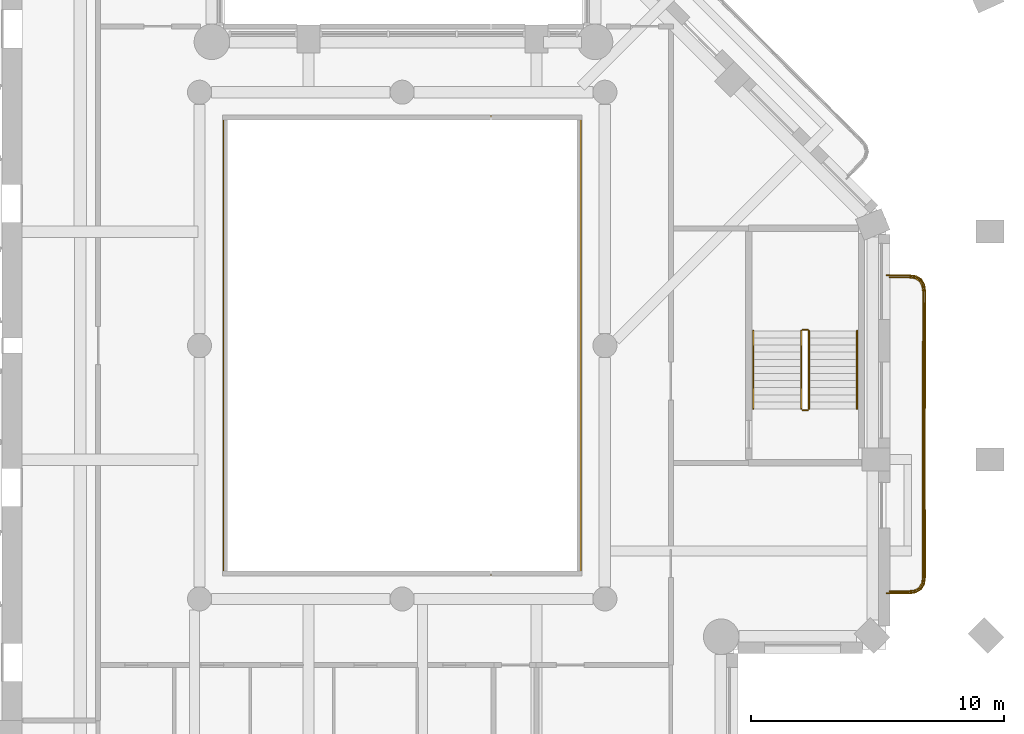
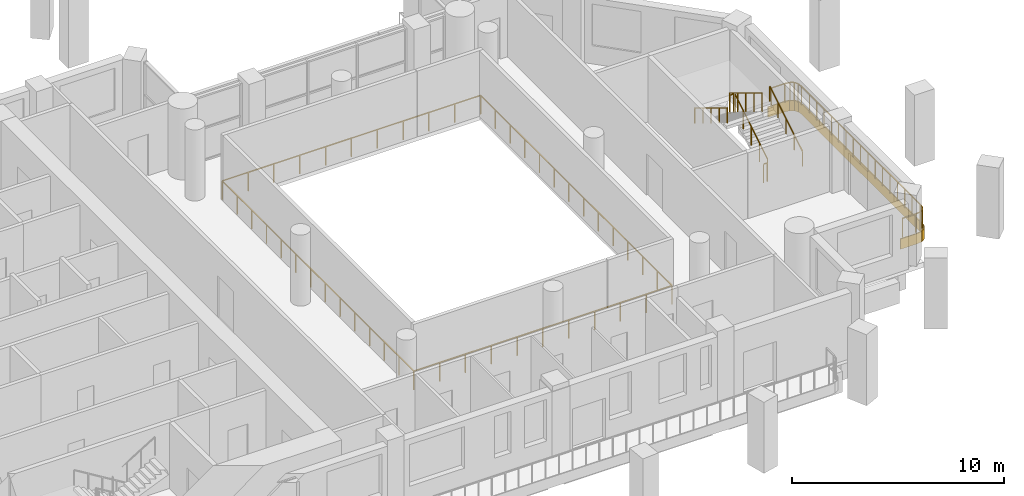
# One storey, part 12 of 14: 8 railings, 1 covering.
"""IFC4 building model written with IfcOpenShell, lengths in metres."""

from ifc_helpers import new_model, si_unit, direction, frame, origin, origin_2d, place, context, subcontext, project, spatial, polyline, rectangle, outline, extrude, material, layer, layer_set, type_object, element, save


model = new_model("IFC4")

# Units and contexts
model_context = context("Model", 3, precision=1e-05, world=origin(), true_north=direction((0.0, 1.0)))
body_context = subcontext(model_context, "Body", "Model", "MODEL_VIEW")
ifc_project = project(units=[si_unit("LENGTHUNIT", "METRE"), si_unit("AREAUNIT", "SQUARE_METRE"), si_unit("VOLUMEUNIT", "CUBIC_METRE"), si_unit("PLANEANGLEUNIT", "RADIAN"), si_unit("MASSUNIT", "GRAM", prefix="KILO")], contexts=[model_context])

# Site, building, storey
site_placement = place(None, origin())
site = spatial("IfcSite", under=ifc_project, at=site_placement, CompositionType="ELEMENT")
building_placement = place(site_placement, origin())
building = spatial("IfcBuilding", under=site, at=building_placement, Name="Cypress Arch Tower", CompositionType="ELEMENT")
storey_placement = place(building_placement, frame((0.0, 0.0, 201.5)))
storey = spatial("IfcBuildingStorey", under=building, at=storey_placement, Name="L44", CompositionType="ELEMENT", Elevation=201.5)

# Railing
ifc_material_1 = material(Name="Stainless steel posts and handrail, laminated glass infill", Category="steel")
railing_type_1 = type_object("IfcRailingType", Name="Atrium guard GR1100A", PredefinedType="GUARDRAIL", material=ifc_material_1)
railing_1_placement = place(storey_placement, frame((8.050048828125, -9.050048828125, 0.0)))
element("IfcRailing", 1, at=railing_1_placement, inside=storey, type_object=railing_type_1, Name="Atrium guard L44", PredefinedType="GUARDRAIL", context=body_context, shape_type="SweptSolid", body=[
    extrude(rectangle(XDim=0.050048828125, YDim=0.050048828125, at=origin_2d()), frame((0.0, 0.0, 1.0751953125), z_axis=(-1.0, 0.0, 0.0), x_axis=(0.0, -1.0, 0.0)), (0.0, 0.0, 1.0), 14.10009765625),
    extrude(rectangle(XDim=0.050048828125, YDim=0.050048828125, at=origin_2d()), frame((-14.10009765625, 0.0, 1.0751953125), z_axis=(0.0, 1.0, 0.0), x_axis=(-1.0, 0.0, 0.0)), (0.0, 0.0, 1.0), 18.10009765625),
    extrude(rectangle(XDim=0.050048828125, YDim=0.050048828125, at=origin_2d()), frame((-14.10009765625, 18.10009765625, 1.0751953125), z_axis=(1.0, 0.0, 0.0), x_axis=(0.0, 1.0, 0.0)), (0.0, 0.0, 1.0), 14.10009765625),
    extrude(rectangle(XDim=0.050048828125, YDim=0.050048828125, at=origin_2d()), frame((0.0, 18.10009765625, 1.0751953125), z_axis=(0.0, -1.0, 0.0), x_axis=(1.0, 0.0, 0.0)), (0.0, 0.0, 1.0), 18.10009765625),
    extrude(rectangle(XDim=0.050048828125, YDim=0.050048828125, at=origin_2d()), origin(), (0.0, 0.0, 1.0), 1.050048828125),
    extrude(rectangle(XDim=0.050048828125, YDim=0.050048828125, at=origin_2d()), frame((-1.409912109375, 0.0, 0.0)), (0.0, 0.0, 1.0), 1.050048828125),
    extrude(rectangle(XDim=0.050048828125, YDim=0.050048828125, at=origin_2d()), frame((-2.820068359375, 0.0, 0.0)), (0.0, 0.0, 1.0), 1.050048828125),
    extrude(rectangle(XDim=0.050048828125, YDim=0.050048828125, at=origin_2d()), frame((-4.22998046875, 0.0, 0.0)), (0.0, 0.0, 1.0), 1.050048828125),
    extrude(rectangle(XDim=0.050048828125, YDim=0.050048828125, at=origin_2d()), frame((-5.64013671875, 0.0, 0.0)), (0.0, 0.0, 1.0), 1.050048828125),
    extrude(rectangle(XDim=0.050048828125, YDim=0.050048828125, at=origin_2d()), frame((-7.050048828125, 0.0, 0.0)), (0.0, 0.0, 1.0), 1.050048828125),
    extrude(rectangle(XDim=0.050048828125, YDim=0.050048828125, at=origin_2d()), frame((-8.4599609375, 0.0, 0.0)), (0.0, 0.0, 1.0), 1.050048828125),
    extrude(rectangle(XDim=0.050048828125, YDim=0.050048828125, at=origin_2d()), frame((-9.8701171875, 0.0, 0.0)), (0.0, 0.0, 1.0), 1.050048828125),
    extrude(rectangle(XDim=0.050048828125, YDim=0.050048828125, at=origin_2d()), frame((-11.280029296875, 0.0, 0.0)), (0.0, 0.0, 1.0), 1.050048828125),
    extrude(rectangle(XDim=0.050048828125, YDim=0.050048828125, at=origin_2d()), frame((-12.690185546875, 0.0, 0.0)), (0.0, 0.0, 1.0), 1.050048828125),
    extrude(rectangle(XDim=0.050048828125, YDim=0.050048828125, at=origin_2d()), frame((-14.10009765625, 0.0, 0.0)), (0.0, 0.0, 1.0), 1.050048828125),
    extrude(rectangle(XDim=0.050048828125, YDim=0.050048828125, at=origin_2d()), frame((-14.10009765625, 1.392333984375, 0.0)), (0.0, 0.0, 1.0), 1.050048828125),
    extrude(rectangle(XDim=0.050048828125, YDim=0.050048828125, at=origin_2d()), frame((-14.10009765625, 2.78466796875, 0.0)), (0.0, 0.0, 1.0), 1.050048828125),
    extrude(rectangle(XDim=0.050048828125, YDim=0.050048828125, at=origin_2d()), frame((-14.10009765625, 4.177001953125, 0.0)), (0.0, 0.0, 1.0), 1.050048828125),
    extrude(rectangle(XDim=0.050048828125, YDim=0.050048828125, at=origin_2d()), frame((-14.10009765625, 5.5693359375, 0.0)), (0.0, 0.0, 1.0), 1.050048828125),
    extrude(rectangle(XDim=0.050048828125, YDim=0.050048828125, at=origin_2d()), frame((-14.10009765625, 6.961669921875, 0.0)), (0.0, 0.0, 1.0), 1.050048828125),
    extrude(rectangle(XDim=0.050048828125, YDim=0.050048828125, at=origin_2d()), frame((-14.10009765625, 8.35400390625, 0.0)), (0.0, 0.0, 1.0), 1.050048828125),
    extrude(rectangle(XDim=0.050048828125, YDim=0.050048828125, at=origin_2d()), frame((-14.10009765625, 9.74609375, 0.0)), (0.0, 0.0, 1.0), 1.050048828125),
    extrude(rectangle(XDim=0.050048828125, YDim=0.050048828125, at=origin_2d()), frame((-14.10009765625, 11.138427734375, 0.0)), (0.0, 0.0, 1.0), 1.050048828125),
    extrude(rectangle(XDim=0.050048828125, YDim=0.050048828125, at=origin_2d()), frame((-14.10009765625, 12.53076171875, 0.0)), (0.0, 0.0, 1.0), 1.050048828125),
    extrude(rectangle(XDim=0.050048828125, YDim=0.050048828125, at=origin_2d()), frame((-14.10009765625, 13.923095703125, 0.0)), (0.0, 0.0, 1.0), 1.050048828125),
    extrude(rectangle(XDim=0.050048828125, YDim=0.050048828125, at=origin_2d()), frame((-14.10009765625, 15.3154296875, 0.0)), (0.0, 0.0, 1.0), 1.050048828125),
    extrude(rectangle(XDim=0.050048828125, YDim=0.050048828125, at=origin_2d()), frame((-14.10009765625, 16.707763671875, 0.0)), (0.0, 0.0, 1.0), 1.050048828125),
    extrude(rectangle(XDim=0.050048828125, YDim=0.050048828125, at=origin_2d()), frame((-14.10009765625, 18.10009765625, 0.0)), (0.0, 0.0, 1.0), 1.050048828125),
    extrude(rectangle(XDim=0.050048828125, YDim=0.050048828125, at=origin_2d()), frame((-12.690185546875, 18.10009765625, 0.0)), (0.0, 0.0, 1.0), 1.050048828125),
    extrude(rectangle(XDim=0.050048828125, YDim=0.050048828125, at=origin_2d()), frame((-11.280029296875, 18.10009765625, 0.0)), (0.0, 0.0, 1.0), 1.050048828125),
    extrude(rectangle(XDim=0.050048828125, YDim=0.050048828125, at=origin_2d()), frame((-9.8701171875, 18.10009765625, 0.0)), (0.0, 0.0, 1.0), 1.050048828125),
    extrude(rectangle(XDim=0.050048828125, YDim=0.050048828125, at=origin_2d()), frame((-8.4599609375, 18.10009765625, 0.0)), (0.0, 0.0, 1.0), 1.050048828125),
    extrude(rectangle(XDim=0.050048828125, YDim=0.050048828125, at=origin_2d()), frame((-7.050048828125, 18.10009765625, 0.0)), (0.0, 0.0, 1.0), 1.050048828125),
    extrude(rectangle(XDim=0.050048828125, YDim=0.050048828125, at=origin_2d()), frame((-5.64013671875, 18.10009765625, 0.0)), (0.0, 0.0, 1.0), 1.050048828125),
    extrude(rectangle(XDim=0.050048828125, YDim=0.050048828125, at=origin_2d()), frame((-4.22998046875, 18.10009765625, 0.0)), (0.0, 0.0, 1.0), 1.050048828125),
    extrude(rectangle(XDim=0.050048828125, YDim=0.050048828125, at=origin_2d()), frame((-2.820068359375, 18.10009765625, 0.0)), (0.0, 0.0, 1.0), 1.050048828125),
    extrude(rectangle(XDim=0.050048828125, YDim=0.050048828125, at=origin_2d()), frame((-1.409912109375, 18.10009765625, 0.0)), (0.0, 0.0, 1.0), 1.050048828125),
    extrude(rectangle(XDim=0.050048828125, YDim=0.050048828125, at=origin_2d()), frame((0.0, 18.10009765625, 0.0)), (0.0, 0.0, 1.0), 1.050048828125),
    extrude(rectangle(XDim=0.050048828125, YDim=0.050048828125, at=origin_2d()), frame((0.0, 16.707763671875, 0.0)), (0.0, 0.0, 1.0), 1.050048828125),
    extrude(rectangle(XDim=0.050048828125, YDim=0.050048828125, at=origin_2d()), frame((0.0, 15.3154296875, 0.0)), (0.0, 0.0, 1.0), 1.050048828125),
    extrude(rectangle(XDim=0.050048828125, YDim=0.050048828125, at=origin_2d()), frame((0.0, 13.923095703125, 0.0)), (0.0, 0.0, 1.0), 1.050048828125),
    extrude(rectangle(XDim=0.050048828125, YDim=0.050048828125, at=origin_2d()), frame((0.0, 12.53076171875, 0.0)), (0.0, 0.0, 1.0), 1.050048828125),
    extrude(rectangle(XDim=0.050048828125, YDim=0.050048828125, at=origin_2d()), frame((0.0, 11.138427734375, 0.0)), (0.0, 0.0, 1.0), 1.050048828125),
    extrude(rectangle(XDim=0.050048828125, YDim=0.050048828125, at=origin_2d()), frame((0.0, 9.74609375, 0.0)), (0.0, 0.0, 1.0), 1.050048828125),
    extrude(rectangle(XDim=0.050048828125, YDim=0.050048828125, at=origin_2d()), frame((0.0, 8.35400390625, 0.0)), (0.0, 0.0, 1.0), 1.050048828125),
    extrude(rectangle(XDim=0.050048828125, YDim=0.050048828125, at=origin_2d()), frame((0.0, 6.961669921875, 0.0)), (0.0, 0.0, 1.0), 1.050048828125),
    extrude(rectangle(XDim=0.050048828125, YDim=0.050048828125, at=origin_2d()), frame((0.0, 5.5693359375, 0.0)), (0.0, 0.0, 1.0), 1.050048828125),
    extrude(rectangle(XDim=0.050048828125, YDim=0.050048828125, at=origin_2d()), frame((0.0, 4.177001953125, 0.0)), (0.0, 0.0, 1.0), 1.050048828125),
    extrude(rectangle(XDim=0.050048828125, YDim=0.050048828125, at=origin_2d()), frame((0.0, 2.78466796875, 0.0)), (0.0, 0.0, 1.0), 1.050048828125),
    extrude(rectangle(XDim=0.050048828125, YDim=0.050048828125, at=origin_2d()), frame((0.0, 1.392333984375, 0.0)), (0.0, 0.0, 1.0), 1.050048828125),
])

# Covering
ifc_material_2 = material(Name="White powder-coated aluminium fascia", Category="aluminium")
ifc_layer = layer(ifc_material_2, 0.050048828125)
ifc_layer_set = layer_set([ifc_layer], Name="Balcony fascia BF50")
covering_type = type_object("IfcCoveringType", Name="Balcony fascia BF50", PredefinedType="CLADDING", material=ifc_layer_set)
covering_placement = place(storey_placement, frame((0.0, 0.0, -0.60009765625)))
element("IfcCovering", 2, at=covering_placement, inside=storey, type_object=covering_type, Name="Balcony fascia L44-B04", PredefinedType="CLADDING", context=body_context, shape_type="SweptSolid", body=[
    extrude(outline(polyline([(20.993408203125, 2.800048828125), (21.2802734375, 2.759033203125), (21.494873046875, 2.630126953125), (21.623291015625, 2.41552734375), (21.66357421875, 2.12841796875), (21.661865234375, 1.361083984375), (21.658203125, -0.02783203125), (21.654296875, -1.416748046875), (21.6513671875, -2.8056640625), (21.650146484375, -4.194580078125), (21.650634765625, -5.583251953125), (21.65283203125, -6.97216796875), (21.656494140625, -8.361083984375), (21.658447265625, -9.12841796875), (21.618408203125, -9.415283203125), (21.489990234375, -9.630126953125), (21.275634765625, -9.759033203125), (20.98876953125, -9.800048828125), (20.10107421875, -9.800048828125), (20.10107421875, -9.75), (20.9853515625, -9.75), (21.258544921875, -9.7109375), (21.45361328125, -9.59375), (21.5703125, -9.3984375), (21.608642578125, -9.125), (21.6064453125, -8.361083984375), (21.602783203125, -6.97216796875), (21.6005859375, -5.583251953125), (21.60009765625, -4.1943359375), (21.601318359375, -2.8056640625), (21.604248046875, -1.416748046875), (21.608154296875, -0.02783203125), (21.61181640625, 1.361083984375), (21.613525390625, 2.125), (21.5751953125, 2.3984375), (21.458251953125, 2.59375), (21.26318359375, 2.7109375), (20.989990234375, 2.75), (20.10107421875, 2.75), (20.10107421875, 2.800048828125), (20.993408203125, 2.800048828125)])), origin(), (0.0, 0.0, 1.0), 0.60009765625),
])

# Railings
ifc_material_3 = material(Name="Powder-coated steel posts and rods, 100 mm clear between rods", Category="steel")
railing_type_2 = type_object("IfcRailingType", Name="Balcony guard GR1100", PredefinedType="GUARDRAIL", material=ifc_material_3)
railing_2_placement = place(storey_placement, frame((20.25, 2.699951171875, 0.0)))
element("IfcRailing", 3, at=railing_2_placement, inside=storey, type_object=railing_type_2, Name="Balcony guard L44-B04", PredefinedType="GUARDRAIL", context=body_context, shape_type="SweptSolid", body=[
    extrude(rectangle(XDim=0.050048828125, YDim=0.050048828125, at=origin_2d()), frame((0.0, 0.0, 1.0751953125), z_axis=(1.0, 0.0, 0.0), x_axis=(0.0, 1.0, 0.0)), (0.0, 0.0, 1.0), 0.736328125),
    extrude(rectangle(XDim=0.050048828125, YDim=0.050048828125, at=origin_2d()), frame((0.736328125, 0.0, 1.0751953125), z_axis=(0.989949493661, -0.141421356237, 0.0), x_axis=(0.141421356237, 0.989949493661, 0.0)), (0.0, 0.0, 1.0), 0.262451171875),
    extrude(rectangle(XDim=0.050048828125, YDim=0.050048828125, at=origin_2d()), frame((0.99609375, -0.037109375, 1.0751953125), z_axis=(0.857492925713, -0.514495755428, 0.0), x_axis=(0.514495755428, 0.857492925713, 0.0)), (0.0, 0.0, 1.0), 0.205078125),
    extrude(rectangle(XDim=0.050048828125, YDim=0.050048828125, at=origin_2d()), frame((1.171875, -0.142578125, 1.0751953125), z_axis=(0.512216644056, -0.858856279917, 0.0), x_axis=(0.858856279917, 0.512216644056, 0.0)), (0.0, 0.0, 1.0), 0.204833984375),
    extrude(rectangle(XDim=0.050048828125, YDim=0.050048828125, at=origin_2d()), frame((1.27685546875, -0.318603515625, 1.0751953125), z_axis=(0.139597048071, -0.990208394314, 0.0), x_axis=(0.990208394314, 0.139597048071, 0.0)), (0.0, 0.0, 1.0), 0.262451171875),
    extrude(rectangle(XDim=0.050048828125, YDim=0.050048828125, at=origin_2d()), frame((1.3134765625, -0.578369140625, 1.0751953125), z_axis=(-0.001926778697, -0.99999814376, 0.0), x_axis=(0.99999814376, -0.001926778697, 0.0)), (0.0, 0.0, 1.0), 0.76025390625),
    extrude(rectangle(XDim=0.050048828125, YDim=0.050048828125, at=origin_2d()), frame((1.31201171875, -1.338623046875, 1.0751953125), z_axis=(-0.002812433946, -0.9999960451, 0.0), x_axis=(0.9999960451, -0.002812433946, 0.0)), (0.0, 0.0, 1.0), 1.388916015625),
    extrude(rectangle(XDim=0.050048828125, YDim=0.050048828125, at=origin_2d()), frame((1.30810546875, -2.7275390625, 1.0751953125), z_axis=(-0.002812433946, -0.9999960451, 0.0), x_axis=(0.9999960451, -0.002812433946, 0.0)), (0.0, 0.0, 1.0), 1.388916015625),
    extrude(rectangle(XDim=0.050048828125, YDim=0.050048828125, at=origin_2d()), frame((1.30419921875, -4.116455078125, 1.0751953125), z_axis=(-0.00210932911, -0.999997775363, 0.0), x_axis=(0.999997775363, -0.00210932911, 0.0)), (0.0, 0.0, 1.0), 1.388916015625),
    extrude(rectangle(XDim=0.050048828125, YDim=0.050048828125, at=origin_2d()), frame((1.30126953125, -5.50537109375, 1.0751953125), z_axis=(-0.000878888745, -0.999999613777, 0.0), x_axis=(0.999999613777, -0.000878888745, 0.0)), (0.0, 0.0, 1.0), 1.388916015625),
    extrude(rectangle(XDim=0.050048828125, YDim=0.050048828125, at=origin_2d()), frame((1.300048828125, -6.894287109375, 1.0751953125), z_axis=(0.000351493827, -0.999999938226, 0.0), x_axis=(0.999999938226, 0.000351493827, 0.0)), (0.0, 0.0, 1.0), 1.38916015625),
    extrude(rectangle(XDim=0.050048828125, YDim=0.050048828125, at=origin_2d()), frame((1.300537109375, -8.283447265625, 1.0751953125), z_axis=(0.001757775453, -0.999998455112, 0.0), x_axis=(0.999998455112, 0.001757775453, 0.0)), (0.0, 0.0, 1.0), 1.388916015625),
    extrude(rectangle(XDim=0.050048828125, YDim=0.050048828125, at=origin_2d()), frame((1.302978515625, -9.67236328125, 1.0751953125), z_axis=(0.002460881984, -0.999996972025, 0.0), x_axis=(0.999996972025, 0.002460881984, 0.0)), (0.0, 0.0, 1.0), 1.388916015625),
    extrude(rectangle(XDim=0.050048828125, YDim=0.050048828125, at=origin_2d()), frame((1.306396484375, -11.061279296875, 1.0751953125), z_axis=(0.00289016134, -0.999995823475, 0.0), x_axis=(0.999995823475, 0.00289016134, 0.0)), (0.0, 0.0, 1.0), 0.76025390625),
    extrude(rectangle(XDim=0.050048828125, YDim=0.050048828125, at=origin_2d()), frame((1.30859375, -11.821533203125, 1.0751953125), z_axis=(-0.1385566405, -0.990354510957, 0.0), x_axis=(0.990354510957, -0.1385566405, 0.0)), (0.0, 0.0, 1.0), 0.262451171875),
    extrude(rectangle(XDim=0.050048828125, YDim=0.050048828125, at=origin_2d()), frame((1.272216796875, -12.08154296875, 1.0751953125), z_axis=(-0.513619242704, -0.858018224471, 0.0), x_axis=(0.858018224471, -0.513619242704, 0.0)), (0.0, 0.0, 1.0), 0.204833984375),
    extrude(rectangle(XDim=0.050048828125, YDim=0.050048828125, at=origin_2d()), frame((1.1669921875, -12.25732421875, 1.0751953125), z_axis=(-0.857177187434, -0.515021620267, 0.0), x_axis=(0.515021620267, -0.857177187434, 0.0)), (0.0, 0.0, 1.0), 0.204833984375),
    extrude(rectangle(XDim=0.050048828125, YDim=0.050048828125, at=origin_2d()), frame((0.991455078125, -12.36279296875, 1.0751953125), z_axis=(-0.989949493661, -0.141421356237, 0.0), x_axis=(0.141421356237, -0.989949493661, 0.0)), (0.0, 0.0, 1.0), 0.262451171875),
    extrude(rectangle(XDim=0.050048828125, YDim=0.050048828125, at=origin_2d()), frame((0.731689453125, -12.39990234375, 1.0751953125), z_axis=(-1.0, 0.0, 0.0), x_axis=(0.0, -1.0, 0.0)), (0.0, 0.0, 1.0), 0.731689453125),
    extrude(rectangle(XDim=0.0400390625, YDim=0.0400390625, at=origin_2d()), origin(), (0.0, 0.0, 1.0), 1.050048828125),
    extrude(rectangle(XDim=0.0400390625, YDim=0.0400390625, at=origin_2d()), frame((0.736328125, 0.0, 0.0)), (0.0, 0.0, 1.0), 1.050048828125),
    extrude(rectangle(XDim=0.0400390625, YDim=0.0400390625, at=origin_2d()), frame((0.99609375, -0.037109375, 0.0)), (0.0, 0.0, 1.0), 1.050048828125),
    extrude(rectangle(XDim=0.0400390625, YDim=0.0400390625, at=origin_2d()), frame((1.171875, -0.142578125, 0.0)), (0.0, 0.0, 1.0), 1.050048828125),
    extrude(rectangle(XDim=0.0400390625, YDim=0.0400390625, at=origin_2d()), frame((1.27685546875, -0.318603515625, 0.0)), (0.0, 0.0, 1.0), 1.050048828125),
    extrude(rectangle(XDim=0.0400390625, YDim=0.0400390625, at=origin_2d()), frame((1.3134765625, -0.578369140625, 0.0)), (0.0, 0.0, 1.0), 1.050048828125),
    extrude(rectangle(XDim=0.0400390625, YDim=0.0400390625, at=origin_2d()), frame((1.31201171875, -1.338623046875, 0.0)), (0.0, 0.0, 1.0), 1.050048828125),
    extrude(rectangle(XDim=0.0400390625, YDim=0.0400390625, at=origin_2d()), frame((1.31005859375, -2.033203125, 0.0)), (0.0, 0.0, 1.0), 1.050048828125),
    extrude(rectangle(XDim=0.0400390625, YDim=0.0400390625, at=origin_2d()), frame((1.30810546875, -2.7275390625, 0.0)), (0.0, 0.0, 1.0), 1.050048828125),
    extrude(rectangle(XDim=0.0400390625, YDim=0.0400390625, at=origin_2d()), frame((1.30615234375, -3.421875, 0.0)), (0.0, 0.0, 1.0), 1.050048828125),
    extrude(rectangle(XDim=0.0400390625, YDim=0.0400390625, at=origin_2d()), frame((1.30419921875, -4.116455078125, 0.0)), (0.0, 0.0, 1.0), 1.050048828125),
    extrude(rectangle(XDim=0.0400390625, YDim=0.0400390625, at=origin_2d()), frame((1.302734375, -4.81103515625, 0.0)), (0.0, 0.0, 1.0), 1.050048828125),
    extrude(rectangle(XDim=0.0400390625, YDim=0.0400390625, at=origin_2d()), frame((1.30126953125, -5.50537109375, 0.0)), (0.0, 0.0, 1.0), 1.050048828125),
    extrude(rectangle(XDim=0.0400390625, YDim=0.0400390625, at=origin_2d()), frame((1.30078125, -6.19970703125, 0.0)), (0.0, 0.0, 1.0), 1.050048828125),
    extrude(rectangle(XDim=0.0400390625, YDim=0.0400390625, at=origin_2d()), frame((1.300048828125, -6.894287109375, 0.0)), (0.0, 0.0, 1.0), 1.050048828125),
    extrude(rectangle(XDim=0.0400390625, YDim=0.0400390625, at=origin_2d()), frame((1.30029296875, -7.5888671875, 0.0)), (0.0, 0.0, 1.0), 1.050048828125),
    extrude(rectangle(XDim=0.0400390625, YDim=0.0400390625, at=origin_2d()), frame((1.300537109375, -8.283447265625, 0.0)), (0.0, 0.0, 1.0), 1.050048828125),
    extrude(rectangle(XDim=0.0400390625, YDim=0.0400390625, at=origin_2d()), frame((1.3017578125, -8.97802734375, 0.0)), (0.0, 0.0, 1.0), 1.050048828125),
    extrude(rectangle(XDim=0.0400390625, YDim=0.0400390625, at=origin_2d()), frame((1.302978515625, -9.67236328125, 0.0)), (0.0, 0.0, 1.0), 1.050048828125),
    extrude(rectangle(XDim=0.0400390625, YDim=0.0400390625, at=origin_2d()), frame((1.3046875, -10.36669921875, 0.0)), (0.0, 0.0, 1.0), 1.050048828125),
    extrude(rectangle(XDim=0.0400390625, YDim=0.0400390625, at=origin_2d()), frame((1.306396484375, -11.061279296875, 0.0)), (0.0, 0.0, 1.0), 1.050048828125),
    extrude(rectangle(XDim=0.0400390625, YDim=0.0400390625, at=origin_2d()), frame((1.30859375, -11.821533203125, 0.0)), (0.0, 0.0, 1.0), 1.050048828125),
    extrude(rectangle(XDim=0.0400390625, YDim=0.0400390625, at=origin_2d()), frame((1.272216796875, -12.08154296875, 0.0)), (0.0, 0.0, 1.0), 1.050048828125),
    extrude(rectangle(XDim=0.0400390625, YDim=0.0400390625, at=origin_2d()), frame((1.1669921875, -12.25732421875, 0.0)), (0.0, 0.0, 1.0), 1.050048828125),
    extrude(rectangle(XDim=0.0400390625, YDim=0.0400390625, at=origin_2d()), frame((0.991455078125, -12.36279296875, 0.0)), (0.0, 0.0, 1.0), 1.050048828125),
    extrude(rectangle(XDim=0.0400390625, YDim=0.0400390625, at=origin_2d()), frame((0.731689453125, -12.39990234375, 0.0)), (0.0, 0.0, 1.0), 1.050048828125),
    extrude(rectangle(XDim=0.0400390625, YDim=0.0400390625, at=origin_2d()), frame((0.0, -12.39990234375, 0.0)), (0.0, 0.0, 1.0), 1.050048828125),
])
ifc_material_4 = material(Name="Black powder-coated steel square bar 48 mm", Category="steel")
railing_type_3 = type_object("IfcRailingType", Name="Stair handrail HR1", PredefinedType="HANDRAIL", material=ifc_material_4)
railing_3_placement = place(storey_placement, frame((18.949951171875, -2.5, 0.1708984375)))
element("IfcRailing", 4, at=railing_3_placement, inside=storey, type_object=railing_type_3, Name="L44 C stair handrail 1", PredefinedType="HANDRAIL", context=body_context, shape_type="SweptSolid", body=[
    extrude(rectangle(XDim=0.048095703125, YDim=0.048095703125, at=origin_2d()), frame((0.0, 0.0, 0.8759765625), z_axis=(0.0, 0.853666305674, 0.52082035152), x_axis=(-1.0, 0.0, 0.0)), (0.0, 0.0, 1.0), 3.608154296875),
    extrude(rectangle(XDim=0.0419921875, YDim=0.0419921875, at=origin_2d()), origin(), (0.0, 0.0, 1.0), 0.851806640625),
    extrude(rectangle(XDim=0.0419921875, YDim=0.0419921875, at=origin_2d()), frame((0.0, 0.77001953125, 0.4697265625)), (0.0, 0.0, 1.0), 0.851806640625),
    extrude(rectangle(XDim=0.0419921875, YDim=0.0419921875, at=origin_2d()), frame((0.0, 1.5400390625, 0.939453125)), (0.0, 0.0, 1.0), 0.851806640625),
    extrude(rectangle(XDim=0.0419921875, YDim=0.0419921875, at=origin_2d()), frame((0.0, 2.31005859375, 1.409423828125)), (0.0, 0.0, 1.0), 0.851806640625),
    extrude(rectangle(XDim=0.0419921875, YDim=0.0419921875, at=origin_2d()), frame((0.0, 3.080078125, 1.879150390625)), (0.0, 0.0, 1.0), 0.851806640625),
])
railing_4_placement = place(storey_placement, frame((14.85009765625, 0.580078125, 2.220947265625)))
element("IfcRailing", 5, at=railing_4_placement, inside=storey, type_object=railing_type_3, Name="L44 C stair handrail 2", PredefinedType="HANDRAIL", context=body_context, shape_type="SweptSolid", body=[
    extrude(rectangle(XDim=0.048095703125, YDim=0.048095703125, at=origin_2d()), frame((0.0, 0.0, 0.8759765625), z_axis=(0.0, -0.853666305674, 0.52082035152), x_axis=(1.0, 0.0, 0.0)), (0.0, 0.0, 1.0), 3.608154296875),
    extrude(rectangle(XDim=0.0419921875, YDim=0.0419921875, at=origin_2d()), origin(), (0.0, 0.0, 1.0), 0.851806640625),
    extrude(rectangle(XDim=0.0419921875, YDim=0.0419921875, at=origin_2d()), frame((0.0, -0.77001953125, 0.4697265625)), (0.0, 0.0, 1.0), 0.851806640625),
    extrude(rectangle(XDim=0.0419921875, YDim=0.0419921875, at=origin_2d()), frame((0.0, -1.5400390625, 0.939453125)), (0.0, 0.0, 1.0), 0.851806640625),
    extrude(rectangle(XDim=0.0419921875, YDim=0.0419921875, at=origin_2d()), frame((0.0, -2.31005859375, 1.409423828125)), (0.0, 0.0, 1.0), 0.851806640625),
    extrude(rectangle(XDim=0.0419921875, YDim=0.0419921875, at=origin_2d()), frame((0.0, -3.080078125, 1.879150390625)), (0.0, 0.0, 1.0), 0.851806640625),
])
ifc_material_5 = material(Name="Black powder-coated steel balusters", Category="steel")
railing_type_4 = type_object("IfcRailingType", Name="Stair well guard G1", PredefinedType="GUARDRAIL", material=ifc_material_5)
railing_5_placement = place(storey_placement, frame((17.050048828125, -2.5, 0.1708984375)))
element("IfcRailing", 6, at=railing_5_placement, inside=storey, type_object=railing_type_4, Name="L44 C stair guard 1", PredefinedType="GUARDRAIL", context=body_context, shape_type="SweptSolid", body=[
    extrude(rectangle(XDim=0.048095703125, YDim=0.048095703125, at=origin_2d()), frame((0.0, 0.0, 1.076171875), z_axis=(0.0, 0.853666305674, 0.52082035152), x_axis=(-1.0, 0.0, 0.0)), (0.0, 0.0, 1.0), 3.608154296875),
    extrude(rectangle(XDim=0.0419921875, YDim=0.0419921875, at=origin_2d()), origin(), (0.0, 0.0, 1.0), 1.052001953125),
    extrude(rectangle(XDim=0.0419921875, YDim=0.0419921875, at=origin_2d()), frame((0.0, 0.77001953125, 0.4697265625)), (0.0, 0.0, 1.0), 1.052001953125),
    extrude(rectangle(XDim=0.0419921875, YDim=0.0419921875, at=origin_2d()), frame((0.0, 1.5400390625, 0.939453125)), (0.0, 0.0, 1.0), 1.052001953125),
    extrude(rectangle(XDim=0.0419921875, YDim=0.0419921875, at=origin_2d()), frame((0.0, 2.31005859375, 1.409423828125)), (0.0, 0.0, 1.0), 1.052001953125),
    extrude(rectangle(XDim=0.0419921875, YDim=0.0419921875, at=origin_2d()), frame((0.0, 3.080078125, 1.879150390625)), (0.0, 0.0, 1.0), 1.052001953125),
])
railing_6_placement = place(storey_placement, frame((17.0, 0.6298828125, 2.050048828125)))
element("IfcRailing", 7, at=railing_6_placement, inside=storey, type_object=railing_type_4, Name="L44 C stair guard 2", PredefinedType="GUARDRAIL", context=body_context, shape_type="SweptSolid", body=[
    extrude(rectangle(XDim=0.048095703125, YDim=0.048095703125, at=origin_2d()), frame((0.0, 0.0, 1.076171875), z_axis=(-1.0, 0.0, 0.0), x_axis=(0.0, -1.0, 0.0)), (0.0, 0.0, 1.0), 0.199951171875),
    extrude(rectangle(XDim=0.0419921875, YDim=0.0419921875, at=origin_2d()), origin(), (0.0, 0.0, 1.0), 1.052001953125),
    extrude(rectangle(XDim=0.0419921875, YDim=0.0419921875, at=origin_2d()), frame((-0.199951171875, 0.0, 0.0)), (0.0, 0.0, 1.0), 1.052001953125),
])
railing_7_placement = place(storey_placement, frame((16.75, 0.580078125, 2.220947265625)))
element("IfcRailing", 8, at=railing_7_placement, inside=storey, type_object=railing_type_4, Name="L44 C stair guard 3", PredefinedType="GUARDRAIL", context=body_context, shape_type="SweptSolid", body=[
    extrude(rectangle(XDim=0.048095703125, YDim=0.048095703125, at=origin_2d()), frame((0.0, 0.0, 1.076171875), z_axis=(0.0, -0.853666305674, 0.52082035152), x_axis=(1.0, 0.0, 0.0)), (0.0, 0.0, 1.0), 3.608154296875),
    extrude(rectangle(XDim=0.0419921875, YDim=0.0419921875, at=origin_2d()), origin(), (0.0, 0.0, 1.0), 1.052001953125),
    extrude(rectangle(XDim=0.0419921875, YDim=0.0419921875, at=origin_2d()), frame((0.0, -0.77001953125, 0.4697265625)), (0.0, 0.0, 1.0), 1.052001953125),
    extrude(rectangle(XDim=0.0419921875, YDim=0.0419921875, at=origin_2d()), frame((0.0, -1.5400390625, 0.939453125)), (0.0, 0.0, 1.0), 1.052001953125),
    extrude(rectangle(XDim=0.0419921875, YDim=0.0419921875, at=origin_2d()), frame((0.0, -2.31005859375, 1.409423828125)), (0.0, 0.0, 1.0), 1.052001953125),
    extrude(rectangle(XDim=0.0419921875, YDim=0.0419921875, at=origin_2d()), frame((0.0, -3.080078125, 1.879150390625)), (0.0, 0.0, 1.0), 1.052001953125),
])
railing_8_placement = place(storey_placement, frame((17.0, -2.550048828125, 0.0)))
element("IfcRailing", 9, at=railing_8_placement, inside=storey, type_object=railing_type_4, Name="L44 C stair guard 4", PredefinedType="GUARDRAIL", context=body_context, shape_type="SweptSolid", body=[
    extrude(rectangle(XDim=0.048095703125, YDim=0.048095703125, at=origin_2d()), frame((0.0, 0.0, 1.076171875), z_axis=(-1.0, 0.0, 0.0), x_axis=(0.0, -1.0, 0.0)), (0.0, 0.0, 1.0), 0.199951171875),
    extrude(rectangle(XDim=0.0419921875, YDim=0.0419921875, at=origin_2d()), origin(), (0.0, 0.0, 1.0), 1.052001953125),
    extrude(rectangle(XDim=0.0419921875, YDim=0.0419921875, at=origin_2d()), frame((-0.199951171875, 0.0, 0.0)), (0.0, 0.0, 1.0), 1.052001953125),
])

save(model, "model.ifc")
